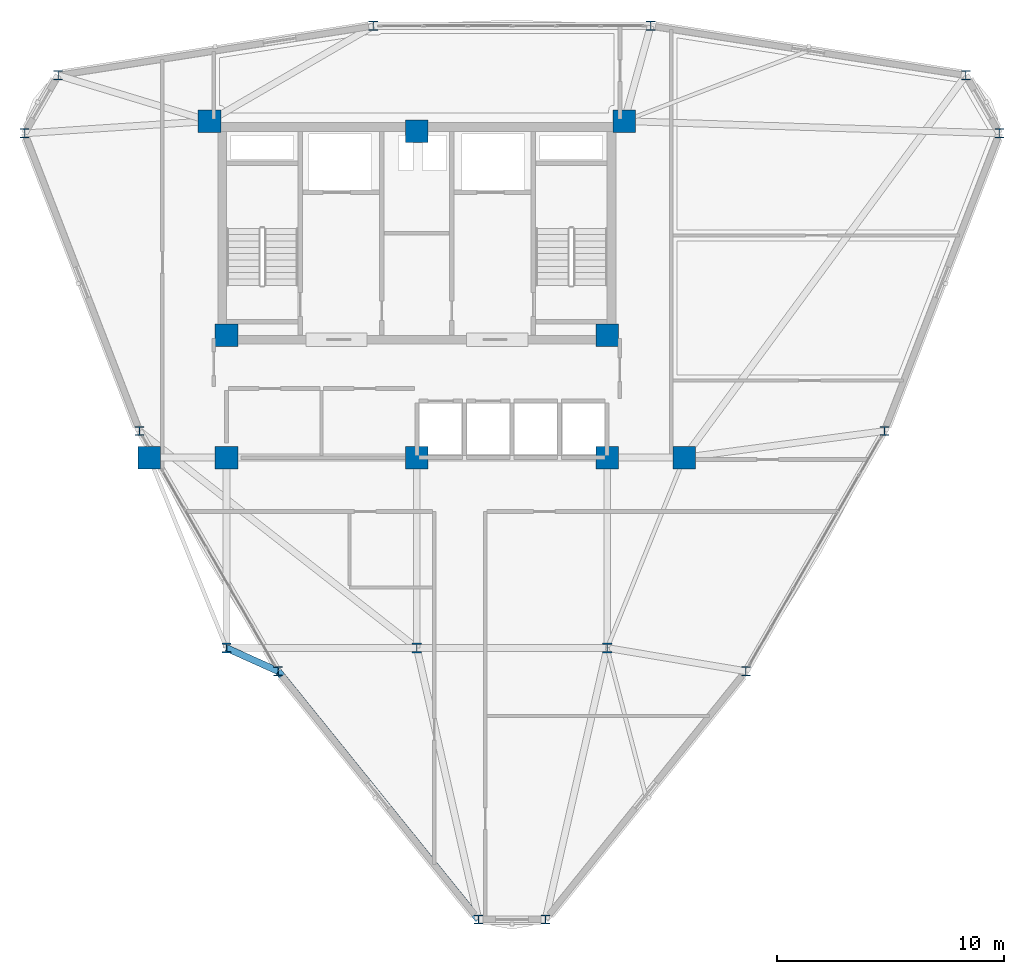
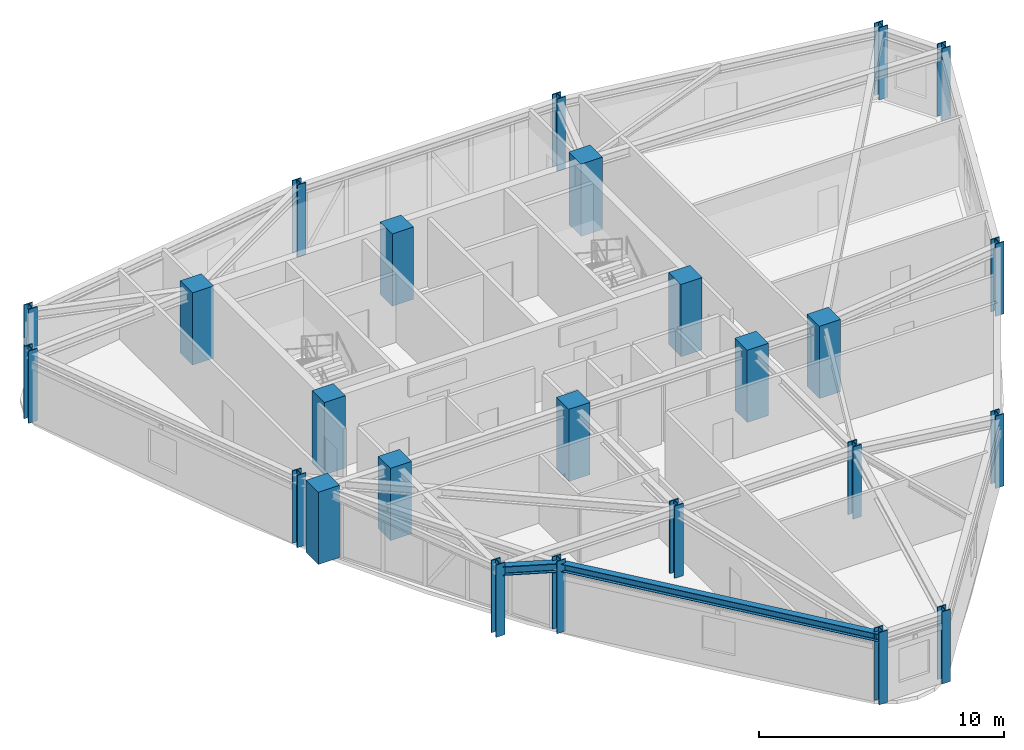
# One storey, part 1 of 16: 25 columns, 2 beams.
"""IFC4 building model written with IfcOpenShell, lengths in metres."""

from ifc_helpers import new_model, si_unit, derived_unit, direction, frame, origin, origin_2d, place, context, subcontext, project, spatial, rectangle, i_section, extrude, source, transform, mapped, material, material_profile, profile_set, type_object, element, save


model = new_model("IFC4")

# Units and contexts
model_context = context("Model", 3, precision=1e-05, world=origin(), true_north=direction((0.0, 1.0)))
body_context = subcontext(model_context, "Body", "Model", "MODEL_VIEW")
ifc_project = project(units=[si_unit("LENGTHUNIT", "METRE"), si_unit("AREAUNIT", "SQUARE_METRE"), si_unit("VOLUMEUNIT", "CUBIC_METRE"), si_unit("PLANEANGLEUNIT", "RADIAN"), si_unit("MASSUNIT", "GRAM", prefix="KILO"), derived_unit("THERMALTRANSMITTANCEUNIT", [(si_unit("POWERUNIT", "WATT"), 1), (si_unit("LENGTHUNIT", "METRE"), -2), (si_unit("THERMODYNAMICTEMPERATUREUNIT", "KELVIN"), -1)])], contexts=[model_context])

# Site, building, storey
site_placement = place(None, origin())
site = spatial("IfcSite", under=ifc_project, at=site_placement, CompositionType="ELEMENT")
building_placement = place(site_placement, origin())
building = spatial("IfcBuilding", under=site, at=building_placement, Name="Korsvarv Bourse and Concert Hall", CompositionType="ELEMENT")
storey_placement = place(building_placement, frame((0.0, 0.0, 216.60009765625)))
storey = spatial("IfcBuildingStorey", under=building, at=storey_placement, Name="L56", CompositionType="ELEMENT", Elevation=216.60009765625)

# Columns
ifc_material_1 = material(Name="Steel S355", Category="steel")
ifc_material_profile_1 = material_profile(ifc_material_1, i_section(OverallWidth=0.412109375, OverallDepth=0.43505859375, WebThickness=0.032958984375, FlangeThickness=0.052978515625, FilletRadius=0.014892578125, at=origin_2d()), Name="HD 400x463")
ifc_profile_set_1 = profile_set([ifc_material_profile_1], Name="Steel S355")
column_type_1 = type_object("IfcColumnType", Name="COL-HD463", PredefinedType="COLUMN", material=ifc_profile_set_1)
shared_shape_1 = source(origin(), body_context, "Body", "SweptSolid", [
    extrude(i_section(OverallWidth=0.412109375, OverallDepth=0.43505859375, WebThickness=0.032958984375, FlangeThickness=0.052978515625, FilletRadius=0.014892578125, at=origin_2d()), origin(), (0.0, 0.0, 1.0), 3.599853515625),
])
for number, where, z_axis, x_axis, name in (
    (1, (27.60009765625, 24.0, 0.0), (0.0, 0.0, 1.0), (1.0, 0.0, 0.0), "L56 column C-09"),
    (2, (44.39990234375, 24.0, 0.0), (0.0, 0.0, 1.0), (1.0, 0.0, 0.0), "L56 column C-09"),
    (3, (36.0, 24.0, 0.0), (0.0, 0.0, 1.0), (1.0, 0.0, 0.0), "L56 column C-09"),
):
    element("IfcColumn", number, at=place(storey_placement, frame(where, z_axis=z_axis, x_axis=x_axis)), inside=storey, type_object=column_type_1, Name=name, PredefinedType="COLUMN", context=body_context, shape_type="MappedRepresentation", body=[
        mapped(shared_shape_1, transform((0.0, 0.0, 0.0), scale=1.0)),
    ])
ifc_material_2 = material(Name="Concrete C55/67", Category="concrete")
ifc_material_profile_2 = material_profile(ifc_material_2, rectangle(XDim=1.0, YDim=1.0, at=origin_2d()), Name="RC 1000x1000")
ifc_profile_set_2 = profile_set([ifc_material_profile_2], Name="Concrete C55/67")
column_type_2 = type_object("IfcColumnType", Name="COL-RC1000", PredefinedType="COLUMN", material=ifc_profile_set_2)
shared_shape_2 = source(origin(), body_context, "Body", "SweptSolid", [
    extrude(rectangle(XDim=1.0, YDim=1.0, at=origin_2d()), origin(), (0.0, 0.0, 1.0), 3.599853515625),
])
for number, where, z_axis, x_axis, name in (
    (4, (26.85009765625, 47.25, 0.0), (0.0, 0.0, 1.0), (1.0, 0.0, 0.0), "L56 column C-03"),
    (5, (45.14990234375, 47.25, 0.0), (0.0, 0.0, 1.0), (1.0, 0.0, 0.0), "L56 column C-03"),
    (6, (27.60009765625, 37.800048828125, 0.0), (0.0, 0.0, 1.0), (1.0, 0.0, 0.0), "L56 column C-03"),
    (7, (44.39990234375, 37.800048828125, 0.0), (0.0, 0.0, 1.0), (1.0, 0.0, 0.0), "L56 column C-03"),
    (8, (27.60009765625, 32.39990234375, 0.0), (0.0, 0.0, 1.0), (1.0, 0.0, 0.0), "L56 column C-03"),
    (9, (44.39990234375, 32.39990234375, 0.0), (0.0, 0.0, 1.0), (1.0, 0.0, 0.0), "L56 column C-03"),
    (10, (36.0, 46.800048828125, 0.0), (0.0, 0.0, 1.0), (1.0, 0.0, 0.0), "L56 column C-03"),
    (11, (36.0, 32.39990234375, 0.0), (0.0, 0.0, 1.0), (1.0, 0.0, 0.0), "L56 column C-03"),
    (12, (24.199951171875, 32.39990234375, 0.0), (0.0, 0.0, 1.0), (1.0, 0.0, 0.0), "L56 column C-03"),
    (13, (47.800048828125, 32.39990234375, 0.0), (0.0, 0.0, 1.0), (1.0, 0.0, 0.0), "L56 column C-03"),
):
    element("IfcColumn", number, at=place(storey_placement, frame(where, z_axis=z_axis, x_axis=x_axis)), inside=storey, type_object=column_type_2, Name=name, PredefinedType="COLUMN", context=body_context, shape_type="MappedRepresentation", body=[
        mapped(shared_shape_2, transform((0.0, 0.0, 0.0), scale=1.0)),
    ])
ifc_material_profile_3 = material_profile(ifc_material_1, i_section(OverallWidth=0.406005859375, OverallDepth=0.416015625, WebThickness=0.027099609375, FlangeThickness=0.0439453125, FilletRadius=0.014892578125, at=origin_2d()), Name="HD 400x382")
ifc_profile_set_3 = profile_set([ifc_material_profile_3], Name="Steel S355")
column_type_3 = type_object("IfcColumnType", Name="COL-HD382", PredefinedType="COLUMN", material=ifc_profile_set_3)
shared_shape_3 = source(origin(), body_context, "Body", "SweptSolid", [
    extrude(i_section(OverallWidth=0.406005859375, OverallDepth=0.416015625, WebThickness=0.027099609375, FlangeThickness=0.0439453125, FilletRadius=0.014892578125, at=origin_2d()), origin(), (0.0, 0.0, 1.0), 3.599853515625),
])
for number, where, z_axis, x_axis, name in (
    (14, (61.70703125, 46.70849609375, 0.0), (0.0, 0.0, 1.0), (1.0, 0.0, 0.0), "L56 column C-10"),
    (15, (60.227294921875, 49.271484375, 0.0), (0.0, 0.0, 1.0), (1.0, 0.0, 0.0), "L56 column C-10"),
    (16, (46.319091796875, 51.449951171875, 0.0), (0.0, 0.0, 1.0), (1.0, 0.0, 0.0), "L56 column C-10"),
    (17, (34.0810546875, 51.449951171875, 0.0), (0.0, 0.0, 1.0), (1.0, 0.0, 0.0), "L56 column C-10"),
    (18, (20.1728515625, 49.271484375, 0.0), (0.0, 0.0, 1.0), (1.0, 0.0, 0.0), "L56 column C-10"),
    (19, (18.69287109375, 46.70849609375, 0.0), (0.0, 0.0, 1.0), (1.0, 0.0, 0.0), "L56 column C-10"),
    (20, (23.760498046875, 33.57421875, 0.0), (0.0, 0.0, 1.0), (1.0, 0.0, 0.0), "L56 column C-10"),
    (21, (29.87939453125, 22.975830078125, 0.0), (0.0, 0.0, 1.0), (1.0, 0.0, 0.0), "L56 column C-10"),
    (22, (38.72021484375, 12.020263671875, 0.0), (0.0, 0.0, 1.0), (1.0, 0.0, 0.0), "L56 column C-10"),
    (23, (41.6796875, 12.020263671875, 0.0), (0.0, 0.0, 1.0), (1.0, 0.0, 0.0), "L56 column C-10"),
    (24, (50.5205078125, 22.975830078125, 0.0), (0.0, 0.0, 1.0), (1.0, 0.0, 0.0), "L56 column C-10"),
    (25, (56.639404296875, 33.57421875, 0.0), (0.0, 0.0, 1.0), (1.0, 0.0, 0.0), "L56 column C-10"),
):
    element("IfcColumn", number, at=place(storey_placement, frame(where, z_axis=z_axis, x_axis=x_axis)), inside=storey, type_object=column_type_3, Name=name, PredefinedType="COLUMN", context=body_context, shape_type="MappedRepresentation", body=[
        mapped(shared_shape_3, transform((0.0, 0.0, 0.0), scale=1.0)),
    ])

# Beams
ifc_material_profile_4 = material_profile(ifc_material_1, i_section(OverallWidth=0.300048828125, OverallDepth=0.389892578125, WebThickness=0.010986328125, FlangeThickness=0.01904296875, FilletRadius=0.02099609375, at=origin_2d()), Name="HEA 400")
ifc_profile_set_4 = profile_set([ifc_material_profile_4], Name="Steel S355")
beam_type_1 = type_object("IfcBeamType", Name="BM-HEA400", PredefinedType="BEAM", material=ifc_profile_set_4)
shared_shape_4 = source(origin(), body_context, "Body", "SweptSolid", [
    extrude(i_section(OverallWidth=0.300048828125, OverallDepth=0.389892578125, WebThickness=0.010986328125, FlangeThickness=0.01904296875, FilletRadius=0.02099609375, at=origin_2d()), origin(), (0.0, 0.0, 1.0), 14.077880859375),
])
beam_1_placement = place(storey_placement, frame((29.87939453125, 22.975830078125, 3.21484375), z_axis=(0.627997157863, -0.778215631889, 0.0), x_axis=(0.778215631889, 0.627997157863, 0.0)))
element("IfcBeam", 26, at=beam_1_placement, inside=storey, type_object=beam_type_1, Name="L56 beam B-11", PredefinedType="BEAM", context=body_context, shape_type="MappedRepresentation", body=[
    mapped(shared_shape_4, transform((0.0, 0.0, 0.0), scale=1.0)),
])
ifc_material_profile_5 = material_profile(ifc_material_1, i_section(OverallWidth=0.300048828125, OverallDepth=0.449951171875, WebThickness=0.013916015625, FlangeThickness=0.02587890625, FilletRadius=0.02099609375, at=origin_2d()), Name="HEB 450")
ifc_profile_set_5 = profile_set([ifc_material_profile_5], Name="Steel S355")
beam_type_2 = type_object("IfcBeamType", Name="BM-HEB450", PredefinedType="SPANDREL", material=ifc_profile_set_5)
shared_shape_5 = source(origin(), body_context, "Body", "SweptSolid", [
    extrude(i_section(OverallWidth=0.300048828125, OverallDepth=0.449951171875, WebThickness=0.013916015625, FlangeThickness=0.02587890625, FilletRadius=0.02099609375, at=origin_2d()), origin(), (0.0, 0.0, 1.0), 2.498779296875),
])
beam_2_placement = place(storey_placement, frame((29.87939453125, 22.975830078125, 3.184814453125), z_axis=(-0.912148051472, 0.409860869315, 0.0), x_axis=(-0.409860869315, -0.912148051472, 0.0)))
element("IfcBeam", 27, at=beam_2_placement, inside=storey, type_object=beam_type_2, Name="L56 beam B-08", PredefinedType="SPANDREL", context=body_context, shape_type="MappedRepresentation", body=[
    mapped(shared_shape_5, transform((0.0, 0.0, 0.0), scale=1.0)),
])

save(model, "model.ifc")
